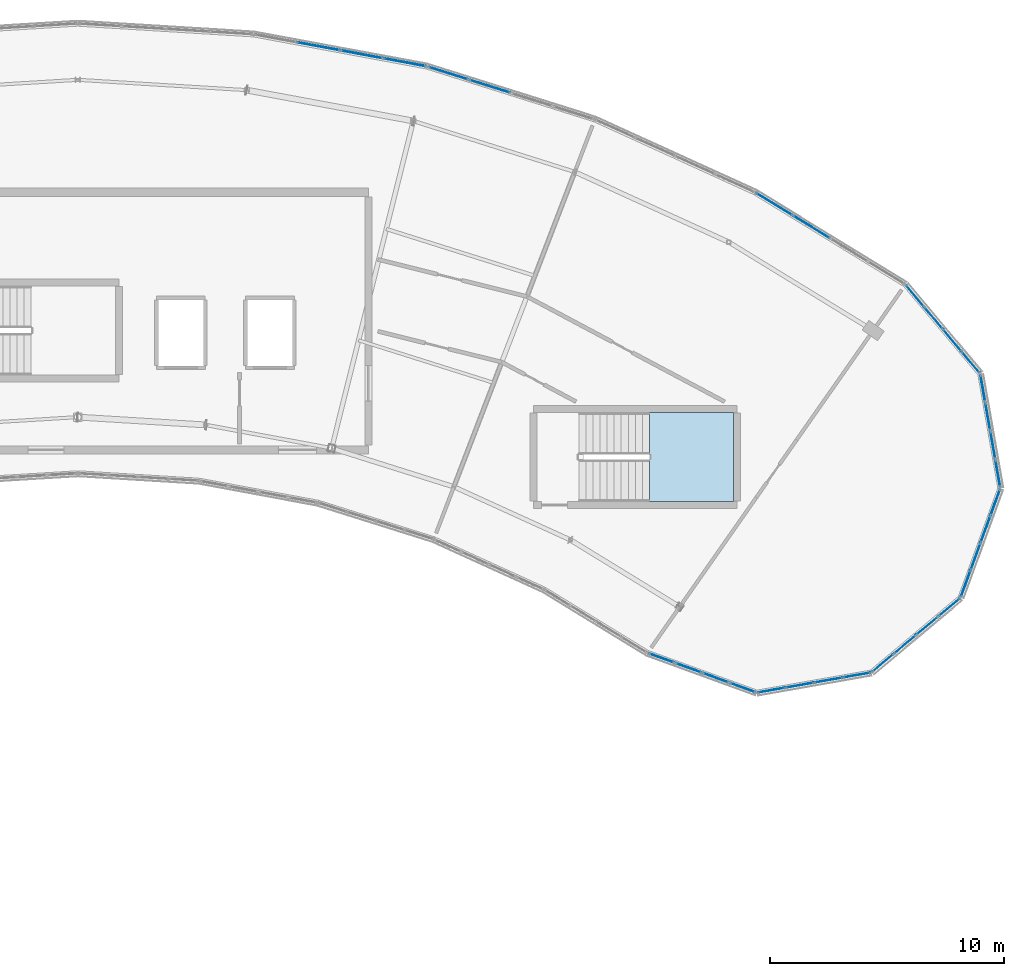
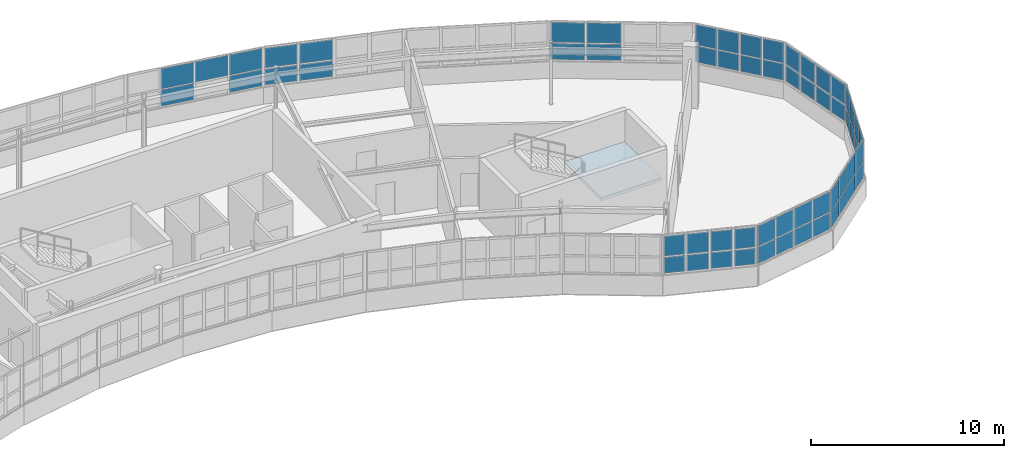
# One storey, part 44 of 60: 61 plates, 1 slab, 10 elements without a shape of their own.
"""IFC4 building model written with IfcOpenShell, lengths in metres."""

from ifc_helpers import new_model, si_unit, direction, frame, origin, origin_2d, place, context, subcontext, project, spatial, polyline, rectangle, outline, extrude, material, layer, layer_set, type_object, element, aggregate, save


model = new_model("IFC4")

# Units and contexts
model_context = context("Model", 3, precision=1e-05, world=origin(), true_north=direction((0.0, 1.0)))
body_context = subcontext(model_context, "Body", "Model", "MODEL_VIEW")
ifc_project = project(units=[si_unit("LENGTHUNIT", "METRE"), si_unit("AREAUNIT", "SQUARE_METRE"), si_unit("VOLUMEUNIT", "CUBIC_METRE"), si_unit("PLANEANGLEUNIT", "RADIAN"), si_unit("MASSUNIT", "GRAM", prefix="KILO")], contexts=[model_context])

# Site, building, storey
site_placement = place(None, origin())
site = spatial("IfcSite", under=ifc_project, at=site_placement, CompositionType="ELEMENT")
building_placement = place(site_placement, origin())
building = spatial("IfcBuilding", under=site, at=building_placement, Name="Tarnwether General Hospital", CompositionType="ELEMENT")
storey_placement = place(building_placement, frame((0.0, 0.0, 26.10009765625)))
storey = spatial("IfcBuildingStorey", under=building, at=storey_placement, Name="L06", CompositionType="ELEMENT", Elevation=26.10009765625)

# Curtain wall, plates
ifc_material_1 = material(Name="Anodised aluminium", Category="aluminium")
ifc_layer_1 = layer(ifc_material_1, 0.159912109375)
ifc_layer_set_1 = layer_set([ifc_layer_1], Name="Anodised aluminium")
curtain_wall_type_1 = type_object("IfcCurtainWallType", Name="CW-04", PredefinedType="NOTDEFINED", material=ifc_layer_set_1)
curtain_wall_1_placement = place(storey_placement, origin())
curtain_wall_1 = element("IfcCurtainWall", 1, at=curtain_wall_1_placement, inside=storey, type_object=curtain_wall_type_1, Name="Curtain Wall CWG-L06-1259_969-0113", PredefinedType="NOTDEFINED")
ifc_material_2 = material(Name="Double glazed low-E glass", Category="glass")
ifc_layer_2 = layer(ifc_material_2, 0.028076171875)
ifc_layer_set_2 = layer_set([ifc_layer_2], Name="Double glazed low-E glass")
plate_type_1 = type_object("IfcPlateType", Name="PT-CWP1", PredefinedType="CURTAIN_PANEL", material=ifc_layer_set_2)
plate_1_placement = place(storey_placement, frame((125.256591796875, 96.784423828125, 1.10986328125), z_axis=(0.0, 0.0, 1.0), x_axis=(-0.984805834268, -0.173659059054, 0.0)))
plate_1 = element("IfcPlate", 2, at=plate_1_placement, type_object=plate_type_1, Name="CW-04 panel 1.1", PredefinedType="CURTAIN_PANEL", context=body_context, shape_type="SweptSolid", body=[
    extrude(rectangle(XDim=1.15234375, YDim=0.028076171875, at=origin_2d()), origin(), (0.0, 0.0, 1.0), 1.03271484375),
])
plate_2_placement = place(storey_placement, frame((125.256591796875, 96.784423828125, 2.20263671875), z_axis=(0.0, 0.0, 1.0), x_axis=(-0.984805834268, -0.173659059054, 0.0)))
plate_2 = element("IfcPlate", 3, at=plate_2_placement, type_object=plate_type_1, Name="CW-04 panel 1.2", PredefinedType="CURTAIN_PANEL", context=body_context, shape_type="SweptSolid", body=[
    extrude(rectangle(XDim=1.15234375, YDim=0.028076171875, at=origin_2d()), origin(), (0.0, 0.0, 1.0), 1.2822265625),
])
plate_3_placement = place(storey_placement, frame((124.0478515625, 96.5712890625, 1.10986328125), z_axis=(0.0, 0.0, 1.0), x_axis=(-0.984805834268, -0.173659059054, 0.0)))
plate_3 = element("IfcPlate", 4, at=plate_3_placement, type_object=plate_type_1, Name="CW-04 panel 2.1", PredefinedType="CURTAIN_PANEL", context=body_context, shape_type="SweptSolid", body=[
    extrude(rectangle(XDim=1.182373046875, YDim=0.028076171875, at=origin_2d()), origin(), (0.0, 0.0, 1.0), 1.03271484375),
])
plate_4_placement = place(storey_placement, frame((124.0478515625, 96.5712890625, 2.20263671875), z_axis=(0.0, 0.0, 1.0), x_axis=(-0.984805834268, -0.173659059054, 0.0)))
plate_4 = element("IfcPlate", 5, at=plate_4_placement, type_object=plate_type_1, Name="CW-04 panel 2.2", PredefinedType="CURTAIN_PANEL", context=body_context, shape_type="SweptSolid", body=[
    extrude(rectangle(XDim=1.182373046875, YDim=0.028076171875, at=origin_2d()), origin(), (0.0, 0.0, 1.0), 1.2822265625),
])
plate_5_placement = place(storey_placement, frame((122.82421875, 96.355712890625, 1.10986328125), z_axis=(0.0, 0.0, 1.0), x_axis=(-0.984805834268, -0.173659059054, 0.0)))
plate_5 = element("IfcPlate", 6, at=plate_5_placement, type_object=plate_type_1, Name="CW-04 panel 3.1", PredefinedType="CURTAIN_PANEL", context=body_context, shape_type="SweptSolid", body=[
    extrude(rectangle(XDim=1.182373046875, YDim=0.028076171875, at=origin_2d()), origin(), (0.0, 0.0, 1.0), 1.03271484375),
])
plate_6_placement = place(storey_placement, frame((122.82421875, 96.355712890625, 2.20263671875), z_axis=(0.0, 0.0, 1.0), x_axis=(-0.984805834268, -0.173659059054, 0.0)))
plate_6 = element("IfcPlate", 7, at=plate_6_placement, type_object=plate_type_1, Name="CW-04 panel 3.2", PredefinedType="CURTAIN_PANEL", context=body_context, shape_type="SweptSolid", body=[
    extrude(rectangle(XDim=1.182373046875, YDim=0.028076171875, at=origin_2d()), origin(), (0.0, 0.0, 1.0), 1.2822265625),
])
plate_7_placement = place(storey_placement, frame((121.615478515625, 96.142578125, 1.10986328125), z_axis=(0.0, 0.0, 1.0), x_axis=(-0.984805834268, -0.173659059054, 0.0)))
plate_7 = element("IfcPlate", 8, at=plate_7_placement, type_object=plate_type_1, Name="CW-04 panel 4.1", PredefinedType="CURTAIN_PANEL", context=body_context, shape_type="SweptSolid", body=[
    extrude(rectangle(XDim=1.15234375, YDim=0.028076171875, at=origin_2d()), origin(), (0.0, 0.0, 1.0), 1.03271484375),
])
plate_8_placement = place(storey_placement, frame((121.615478515625, 96.142578125, 2.20263671875), z_axis=(0.0, 0.0, 1.0), x_axis=(-0.984805834268, -0.173659059054, 0.0)))
plate_8 = element("IfcPlate", 9, at=plate_8_placement, type_object=plate_type_1, Name="CW-04 panel 4.2", PredefinedType="CURTAIN_PANEL", context=body_context, shape_type="SweptSolid", body=[
    extrude(rectangle(XDim=1.15234375, YDim=0.028076171875, at=origin_2d()), origin(), (0.0, 0.0, 1.0), 1.2822265625),
])
aggregate(curtain_wall_1, [plate_1, plate_2, plate_3, plate_4, plate_5, plate_6, plate_7, plate_8])

curtain_wall_2_placement = place(storey_placement, origin())
curtain_wall_2 = element("IfcCurtainWall", 10, at=curtain_wall_2_placement, inside=storey, type_object=curtain_wall_type_1, Name="Curtain Wall CWG-L06-1297_1001-0114", PredefinedType="NOTDEFINED")
plate_9_placement = place(storey_placement, frame((129.20068359375, 99.679443359375, 1.1201171875), z_axis=(0.0, 0.0, 1.0), x_axis=(-0.765990176896, -0.64285227611, 0.0)))
plate_9 = element("IfcPlate", 11, at=plate_9_placement, type_object=plate_type_1, Name="CW-04 panel 1.1", PredefinedType="CURTAIN_PANEL", context=body_context, shape_type="SweptSolid", body=[
    extrude(rectangle(XDim=1.137451171875, YDim=0.028076171875, at=origin_2d()), origin(), (0.0, 0.0, 1.0), 1.017822265625),
])
plate_10_placement = place(storey_placement, frame((129.20068359375, 99.679443359375, 2.207763671875), z_axis=(0.0, 0.0, 1.0), x_axis=(-0.765990176896, -0.64285227611, 0.0)))
plate_10 = element("IfcPlate", 12, at=plate_10_placement, type_object=plate_type_1, Name="CW-04 panel 1.2", PredefinedType="CURTAIN_PANEL", context=body_context, shape_type="SweptSolid", body=[
    extrude(rectangle(XDim=1.137451171875, YDim=0.028076171875, at=origin_2d()), origin(), (0.0, 0.0, 1.0), 1.26708984375),
])
plate_11_placement = place(storey_placement, frame((128.262451171875, 98.891845703125, 1.1201171875), z_axis=(0.0, 0.0, 1.0), x_axis=(-0.765990176896, -0.64285227611, 0.0)))
plate_11 = element("IfcPlate", 13, at=plate_11_placement, type_object=plate_type_1, Name="CW-04 panel 2.1", PredefinedType="CURTAIN_PANEL", context=body_context, shape_type="SweptSolid", body=[
    extrude(rectangle(XDim=1.172607421875, YDim=0.028076171875, at=origin_2d()), origin(), (0.0, 0.0, 1.0), 1.017822265625),
])
plate_12_placement = place(storey_placement, frame((128.262451171875, 98.891845703125, 2.207763671875), z_axis=(0.0, 0.0, 1.0), x_axis=(-0.765990176896, -0.64285227611, 0.0)))
plate_12 = element("IfcPlate", 14, at=plate_12_placement, type_object=plate_type_1, Name="CW-04 panel 2.2", PredefinedType="CURTAIN_PANEL", context=body_context, shape_type="SweptSolid", body=[
    extrude(rectangle(XDim=1.172607421875, YDim=0.028076171875, at=origin_2d()), origin(), (0.0, 0.0, 1.0), 1.26708984375),
])
plate_13_placement = place(storey_placement, frame((127.310546875, 98.093017578125, 1.1201171875), z_axis=(0.0, 0.0, 1.0), x_axis=(-0.765990176896, -0.64285227611, 0.0)))
plate_13 = element("IfcPlate", 15, at=plate_13_placement, type_object=plate_type_1, Name="CW-04 panel 3.1", PredefinedType="CURTAIN_PANEL", context=body_context, shape_type="SweptSolid", body=[
    extrude(rectangle(XDim=1.172607421875, YDim=0.028076171875, at=origin_2d()), origin(), (0.0, 0.0, 1.0), 1.017822265625),
])
plate_14_placement = place(storey_placement, frame((127.310546875, 98.093017578125, 2.207763671875), z_axis=(0.0, 0.0, 1.0), x_axis=(-0.765990176896, -0.64285227611, 0.0)))
plate_14 = element("IfcPlate", 16, at=plate_14_placement, type_object=plate_type_1, Name="CW-04 panel 3.2", PredefinedType="CURTAIN_PANEL", context=body_context, shape_type="SweptSolid", body=[
    extrude(rectangle(XDim=1.172607421875, YDim=0.028076171875, at=origin_2d()), origin(), (0.0, 0.0, 1.0), 1.26708984375),
])
plate_15_placement = place(storey_placement, frame((126.372314453125, 97.3056640625, 1.1201171875), z_axis=(0.0, 0.0, 1.0), x_axis=(-0.765990176896, -0.64285227611, 0.0)))
plate_15 = element("IfcPlate", 17, at=plate_15_placement, type_object=plate_type_1, Name="CW-04 panel 4.1", PredefinedType="CURTAIN_PANEL", context=body_context, shape_type="SweptSolid", body=[
    extrude(rectangle(XDim=1.137451171875, YDim=0.028076171875, at=origin_2d()), origin(), (0.0, 0.0, 1.0), 1.017822265625),
])
plate_16_placement = place(storey_placement, frame((126.372314453125, 97.3056640625, 2.207763671875), z_axis=(0.0, 0.0, 1.0), x_axis=(-0.765990176896, -0.64285227611, 0.0)))
plate_16 = element("IfcPlate", 18, at=plate_16_placement, type_object=plate_type_1, Name="CW-04 panel 4.2", PredefinedType="CURTAIN_PANEL", context=body_context, shape_type="SweptSolid", body=[
    extrude(rectangle(XDim=1.137451171875, YDim=0.028076171875, at=origin_2d()), origin(), (0.0, 0.0, 1.0), 1.26708984375),
])
aggregate(curtain_wall_2, [plate_9, plate_10, plate_11, plate_12, plate_13, plate_14, plate_15, plate_16])

curtain_wall_3_placement = place(storey_placement, origin())
curtain_wall_3 = element("IfcCurtainWall", 19, at=curtain_wall_3_placement, inside=storey, type_object=curtain_wall_type_1, Name="Curtain Wall CWG-L06-1305_1097-0116", PredefinedType="NOTDEFINED")
plate_17_placement = place(storey_placement, frame((130.63818359375, 109.021484375, 1.1298828125), z_axis=(0.0, 0.0, 1.0), x_axis=(0.173463890135, -0.984840230098, 0.0)))
plate_17 = element("IfcPlate", 20, at=plate_17_placement, type_object=plate_type_1, Name="CW-04 panel 1.1", PredefinedType="CURTAIN_PANEL", context=body_context, shape_type="SweptSolid", body=[
    extrude(rectangle(XDim=1.122314453125, YDim=0.028076171875, at=origin_2d()), origin(), (0.0, 0.0, 1.0), 1.002685546875),
])
plate_18_placement = place(storey_placement, frame((130.63818359375, 109.021484375, 2.212890625), z_axis=(0.0, 0.0, 1.0), x_axis=(0.173463890135, -0.984840230098, 0.0)))
plate_18 = element("IfcPlate", 21, at=plate_18_placement, type_object=plate_type_1, Name="CW-04 panel 1.2", PredefinedType="CURTAIN_PANEL", context=body_context, shape_type="SweptSolid", body=[
    extrude(rectangle(XDim=1.122314453125, YDim=0.028076171875, at=origin_2d()), origin(), (0.0, 0.0, 1.0), 1.252197265625),
])
plate_19_placement = place(storey_placement, frame((130.850341796875, 107.81787109375, 1.1298828125), z_axis=(0.0, 0.0, 1.0), x_axis=(0.173463890135, -0.984840230098, 0.0)))
plate_19 = element("IfcPlate", 22, at=plate_19_placement, type_object=plate_type_1, Name="CW-04 panel 2.1", PredefinedType="CURTAIN_PANEL", context=body_context, shape_type="SweptSolid", body=[
    extrude(rectangle(XDim=1.162353515625, YDim=0.028076171875, at=origin_2d()), origin(), (0.0, 0.0, 1.0), 1.002685546875),
])
plate_20_placement = place(storey_placement, frame((130.850341796875, 107.81787109375, 2.212890625), z_axis=(0.0, 0.0, 1.0), x_axis=(0.173463890135, -0.984840230098, 0.0)))
plate_20 = element("IfcPlate", 23, at=plate_20_placement, type_object=plate_type_1, Name="CW-04 panel 2.2", PredefinedType="CURTAIN_PANEL", context=body_context, shape_type="SweptSolid", body=[
    extrude(rectangle(XDim=1.162353515625, YDim=0.028076171875, at=origin_2d()), origin(), (0.0, 0.0, 1.0), 1.252197265625),
])
plate_21_placement = place(storey_placement, frame((131.065673828125, 106.59423828125, 1.1298828125), z_axis=(0.0, 0.0, 1.0), x_axis=(0.173463890135, -0.984840230098, 0.0)))
plate_21 = element("IfcPlate", 24, at=plate_21_placement, type_object=plate_type_1, Name="CW-04 panel 3.1", PredefinedType="CURTAIN_PANEL", context=body_context, shape_type="SweptSolid", body=[
    extrude(rectangle(XDim=1.162353515625, YDim=0.028076171875, at=origin_2d()), origin(), (0.0, 0.0, 1.0), 1.002685546875),
])
plate_22_placement = place(storey_placement, frame((131.065673828125, 106.59423828125, 2.212890625), z_axis=(0.0, 0.0, 1.0), x_axis=(0.173463890135, -0.984840230098, 0.0)))
plate_22 = element("IfcPlate", 25, at=plate_22_placement, type_object=plate_type_1, Name="CW-04 panel 3.2", PredefinedType="CURTAIN_PANEL", context=body_context, shape_type="SweptSolid", body=[
    extrude(rectangle(XDim=1.162353515625, YDim=0.028076171875, at=origin_2d()), origin(), (0.0, 0.0, 1.0), 1.252197265625),
])
plate_23_placement = place(storey_placement, frame((131.27783203125, 105.390380859375, 1.1298828125), z_axis=(0.0, 0.0, 1.0), x_axis=(0.173463890135, -0.984840230098, 0.0)))
plate_23 = element("IfcPlate", 26, at=plate_23_placement, type_object=plate_type_1, Name="CW-04 panel 4.1", PredefinedType="CURTAIN_PANEL", context=body_context, shape_type="SweptSolid", body=[
    extrude(rectangle(XDim=1.122314453125, YDim=0.028076171875, at=origin_2d()), origin(), (0.0, 0.0, 1.0), 1.002685546875),
])
plate_24_placement = place(storey_placement, frame((131.27783203125, 105.390380859375, 2.212890625), z_axis=(0.0, 0.0, 1.0), x_axis=(0.173463890135, -0.984840230098, 0.0)))
plate_24 = element("IfcPlate", 27, at=plate_24_placement, type_object=plate_type_1, Name="CW-04 panel 4.2", PredefinedType="CURTAIN_PANEL", context=body_context, shape_type="SweptSolid", body=[
    extrude(rectangle(XDim=1.122314453125, YDim=0.028076171875, at=origin_2d()), origin(), (0.0, 0.0, 1.0), 1.252197265625),
])
aggregate(curtain_wall_3, [plate_17, plate_18, plate_19, plate_20, plate_21, plate_22, plate_23, plate_24])

curtain_wall_4_placement = place(storey_placement, origin())
curtain_wall_4 = element("IfcCurtainWall", 28, at=curtain_wall_4_placement, inside=storey, type_object=curtain_wall_type_1, Name="Curtain Wall CWG-L06-1273_1135-0117", PredefinedType="NOTDEFINED")
plate_25_placement = place(storey_placement, frame((127.740966796875, 112.97265625, 1.10986328125), z_axis=(0.0, 0.0, 1.0), x_axis=(0.64285227611, -0.765990176896, 0.0)))
plate_25 = element("IfcPlate", 29, at=plate_25_placement, type_object=plate_type_1, Name="CW-04 panel 1.1", PredefinedType="CURTAIN_PANEL", context=body_context, shape_type="SweptSolid", body=[
    extrude(rectangle(XDim=1.152587890625, YDim=0.028076171875, at=origin_2d()), origin(), (0.0, 0.0, 1.0), 1.03271484375),
])
plate_26_placement = place(storey_placement, frame((127.740966796875, 112.97265625, 2.20263671875), z_axis=(0.0, 0.0, 1.0), x_axis=(0.64285227611, -0.765990176896, 0.0)))
plate_26 = element("IfcPlate", 30, at=plate_26_placement, type_object=plate_type_1, Name="CW-04 panel 1.2", PredefinedType="CURTAIN_PANEL", context=body_context, shape_type="SweptSolid", body=[
    extrude(rectangle(XDim=1.152587890625, YDim=0.028076171875, at=origin_2d()), origin(), (0.0, 0.0, 1.0), 1.2822265625),
])
plate_27_placement = place(storey_placement, frame((128.530029296875, 112.032470703125, 1.10986328125), z_axis=(0.0, 0.0, 1.0), x_axis=(0.64285227611, -0.765990176896, 0.0)))
plate_27 = element("IfcPlate", 31, at=plate_27_placement, type_object=plate_type_1, Name="CW-04 panel 2.1", PredefinedType="CURTAIN_PANEL", context=body_context, shape_type="SweptSolid", body=[
    extrude(rectangle(XDim=1.1826171875, YDim=0.028076171875, at=origin_2d()), origin(), (0.0, 0.0, 1.0), 1.03271484375),
])
plate_28_placement = place(storey_placement, frame((128.530029296875, 112.032470703125, 2.20263671875), z_axis=(0.0, 0.0, 1.0), x_axis=(0.64285227611, -0.765990176896, 0.0)))
plate_28 = element("IfcPlate", 32, at=plate_28_placement, type_object=plate_type_1, Name="CW-04 panel 2.2", PredefinedType="CURTAIN_PANEL", context=body_context, shape_type="SweptSolid", body=[
    extrude(rectangle(XDim=1.1826171875, YDim=0.028076171875, at=origin_2d()), origin(), (0.0, 0.0, 1.0), 1.2822265625),
])
plate_29_placement = place(storey_placement, frame((129.328857421875, 111.08056640625, 1.10986328125), z_axis=(0.0, 0.0, 1.0), x_axis=(0.64285227611, -0.765990176896, 0.0)))
plate_29 = element("IfcPlate", 33, at=plate_29_placement, type_object=plate_type_1, Name="CW-04 panel 3.1", PredefinedType="CURTAIN_PANEL", context=body_context, shape_type="SweptSolid", body=[
    extrude(rectangle(XDim=1.1826171875, YDim=0.028076171875, at=origin_2d()), origin(), (0.0, 0.0, 1.0), 1.03271484375),
])
plate_30_placement = place(storey_placement, frame((129.328857421875, 111.08056640625, 2.20263671875), z_axis=(0.0, 0.0, 1.0), x_axis=(0.64285227611, -0.765990176896, 0.0)))
plate_30 = element("IfcPlate", 34, at=plate_30_placement, type_object=plate_type_1, Name="CW-04 panel 3.2", PredefinedType="CURTAIN_PANEL", context=body_context, shape_type="SweptSolid", body=[
    extrude(rectangle(XDim=1.1826171875, YDim=0.028076171875, at=origin_2d()), origin(), (0.0, 0.0, 1.0), 1.2822265625),
])
plate_31_placement = place(storey_placement, frame((130.117919921875, 110.140380859375, 1.10986328125), z_axis=(0.0, 0.0, 1.0), x_axis=(0.64285227611, -0.765990176896, 0.0)))
plate_31 = element("IfcPlate", 35, at=plate_31_placement, type_object=plate_type_1, Name="CW-04 panel 4.1", PredefinedType="CURTAIN_PANEL", context=body_context, shape_type="SweptSolid", body=[
    extrude(rectangle(XDim=1.152587890625, YDim=0.028076171875, at=origin_2d()), origin(), (0.0, 0.0, 1.0), 1.03271484375),
])
plate_32_placement = place(storey_placement, frame((130.117919921875, 110.140380859375, 2.20263671875), z_axis=(0.0, 0.0, 1.0), x_axis=(0.64285227611, -0.765990176896, 0.0)))
plate_32 = element("IfcPlate", 36, at=plate_32_placement, type_object=plate_type_1, Name="CW-04 panel 4.2", PredefinedType="CURTAIN_PANEL", context=body_context, shape_type="SweptSolid", body=[
    extrude(rectangle(XDim=1.152587890625, YDim=0.028076171875, at=origin_2d()), origin(), (0.0, 0.0, 1.0), 1.2822265625),
])
aggregate(curtain_wall_4, [plate_25, plate_26, plate_27, plate_28, plate_29, plate_30, plate_31, plate_32])

ifc_material_3 = material(Name="Anodised aluminium", Category="aluminium")
ifc_layer_3 = layer(ifc_material_3, 0.179931640625)
ifc_layer_set_3 = layer_set([ifc_layer_3], Name="Anodised aluminium")
curtain_wall_type_2 = type_object("IfcCurtainWallType", Name="CW-06", PredefinedType="NOTDEFINED", material=ifc_layer_set_3)
curtain_wall_5_placement = place(storey_placement, origin())
curtain_wall_5 = element("IfcCurtainWall", 37, at=curtain_wall_5_placement, inside=storey, type_object=curtain_wall_type_2, Name="Curtain Wall CWG-L06-1069_1228-0120", PredefinedType="NOTDEFINED")
plate_33_placement = place(storey_placement, frame((107.817626953125, 122.4814453125, 1.1298828125), z_axis=(0.0, 0.0, 1.0), x_axis=(0.953741284032, -0.300628613299, 0.0)))
plate_33 = element("IfcPlate", 38, at=plate_33_placement, type_object=plate_type_1, Name="CW-06 panel 1.1", PredefinedType="CURTAIN_PANEL", context=body_context, shape_type="SweptSolid", body=[
    extrude(rectangle(XDim=1.76025390625, YDim=0.028076171875, at=origin_2d()), origin(), (0.0, 0.0, 1.0), 1.002685546875),
])
plate_34_placement = place(storey_placement, frame((107.817626953125, 122.4814453125, 2.212890625), z_axis=(0.0, 0.0, 1.0), x_axis=(0.953741284032, -0.300628613299, 0.0)))
plate_34 = element("IfcPlate", 39, at=plate_34_placement, type_object=plate_type_1, Name="CW-06 panel 1.2", PredefinedType="CURTAIN_PANEL", context=body_context, shape_type="SweptSolid", body=[
    extrude(rectangle(XDim=1.76025390625, YDim=0.028076171875, at=origin_2d()), origin(), (0.0, 0.0, 1.0), 1.252197265625),
])
plate_35_placement = place(storey_placement, frame((109.591796875, 121.922119140625, 1.1298828125), z_axis=(0.0, 0.0, 1.0), x_axis=(0.953741284032, -0.300628613299, 0.0)))
plate_35 = element("IfcPlate", 40, at=plate_35_placement, type_object=plate_type_1, Name="CW-06 panel 2.1", PredefinedType="CURTAIN_PANEL", context=body_context, shape_type="SweptSolid", body=[
    extrude(rectangle(XDim=1.80029296875, YDim=0.028076171875, at=origin_2d()), origin(), (0.0, 0.0, 1.0), 1.002685546875),
])
plate_36_placement = place(storey_placement, frame((109.591796875, 121.922119140625, 2.212890625), z_axis=(0.0, 0.0, 1.0), x_axis=(0.953741284032, -0.300628613299, 0.0)))
plate_36 = element("IfcPlate", 41, at=plate_36_placement, type_object=plate_type_1, Name="CW-06 panel 2.2", PredefinedType="CURTAIN_PANEL", context=body_context, shape_type="SweptSolid", body=[
    extrude(rectangle(XDim=1.80029296875, YDim=0.028076171875, at=origin_2d()), origin(), (0.0, 0.0, 1.0), 1.252197265625),
])
aggregate(curtain_wall_5, [plate_33, plate_34, plate_35, plate_36])

curtain_wall_6_placement = place(storey_placement, origin())
curtain_wall_6 = element("IfcCurtainWall", 42, at=curtain_wall_6_placement, inside=storey, type_object=curtain_wall_type_1, Name="Curtain Wall CWG-L06-1210_960-0112", PredefinedType="NOTDEFINED")
ifc_material_4 = material(Name="Double glazed low-E glass", Category="glass")
ifc_layer_4 = layer(ifc_material_4, 0.035888671875)
ifc_layer_set_4 = layer_set([ifc_layer_4], Name="Double glazed low-E glass")
plate_type_2 = type_object("IfcPlateType", Name="PT-CWP2", PredefinedType="CURTAIN_PANEL", material=ifc_layer_set_4)
plate_37_placement = place(storey_placement, frame((120.386474609375, 96.251220703125, 1.1298828125), z_axis=(0.0, 0.0, 1.0), x_axis=(-0.939652319163, 0.342130850834, 0.0)))
plate_37 = element("IfcPlate", 43, at=plate_37_placement, type_object=plate_type_2, Name="CW-04 panel 1.1", PredefinedType="CURTAIN_PANEL", context=body_context, shape_type="SweptSolid", body=[
    extrude(rectangle(XDim=1.122314453125, YDim=0.035888671875, at=origin_2d()), origin(), (0.0, 0.0, 1.0), 1.002685546875),
])
plate_38_placement = place(storey_placement, frame((120.386474609375, 96.251220703125, 2.212890625), z_axis=(0.0, 0.0, 1.0), x_axis=(-0.939652319163, 0.342130850834, 0.0)))
plate_38 = element("IfcPlate", 44, at=plate_38_placement, type_object=plate_type_2, Name="CW-04 panel 1.2", PredefinedType="CURTAIN_PANEL", context=body_context, shape_type="SweptSolid", body=[
    extrude(rectangle(XDim=1.122314453125, YDim=0.035888671875, at=origin_2d()), origin(), (0.0, 0.0, 1.0), 1.252197265625),
])
plate_39_placement = place(storey_placement, frame((119.238037109375, 96.66943359375, 1.1298828125), z_axis=(0.0, 0.0, 1.0), x_axis=(-0.939652319163, 0.342130850834, 0.0)))
plate_39 = element("IfcPlate", 45, at=plate_39_placement, type_object=plate_type_2, Name="CW-04 panel 2.1", PredefinedType="CURTAIN_PANEL", context=body_context, shape_type="SweptSolid", body=[
    extrude(rectangle(XDim=1.162109375, YDim=0.035888671875, at=origin_2d()), origin(), (0.0, 0.0, 1.0), 1.002685546875),
])
plate_40_placement = place(storey_placement, frame((119.238037109375, 96.66943359375, 2.212890625), z_axis=(0.0, 0.0, 1.0), x_axis=(-0.939652319163, 0.342130850834, 0.0)))
plate_40 = element("IfcPlate", 46, at=plate_40_placement, type_object=plate_type_2, Name="CW-04 panel 2.2", PredefinedType="CURTAIN_PANEL", context=body_context, shape_type="SweptSolid", body=[
    extrude(rectangle(XDim=1.162109375, YDim=0.035888671875, at=origin_2d()), origin(), (0.0, 0.0, 1.0), 1.252197265625),
])
plate_41_placement = place(storey_placement, frame((118.07080078125, 97.094482421875, 1.1298828125), z_axis=(0.0, 0.0, 1.0), x_axis=(-0.939652319163, 0.342130850834, 0.0)))
plate_41 = element("IfcPlate", 47, at=plate_41_placement, type_object=plate_type_2, Name="CW-04 panel 3.1", PredefinedType="CURTAIN_PANEL", context=body_context, shape_type="SweptSolid", body=[
    extrude(rectangle(XDim=1.162109375, YDim=0.035888671875, at=origin_2d()), origin(), (0.0, 0.0, 1.0), 1.002685546875),
])
plate_42_placement = place(storey_placement, frame((118.07080078125, 97.094482421875, 2.212890625), z_axis=(0.0, 0.0, 1.0), x_axis=(-0.939652319163, 0.342130850834, 0.0)))
plate_42 = element("IfcPlate", 48, at=plate_42_placement, type_object=plate_type_2, Name="CW-04 panel 3.2", PredefinedType="CURTAIN_PANEL", context=body_context, shape_type="SweptSolid", body=[
    extrude(rectangle(XDim=1.162109375, YDim=0.035888671875, at=origin_2d()), origin(), (0.0, 0.0, 1.0), 1.252197265625),
])
plate_43_placement = place(storey_placement, frame((116.92236328125, 97.5126953125, 1.1298828125), z_axis=(0.0, 0.0, 1.0), x_axis=(-0.939652319163, 0.342130850834, 0.0)))
plate_43 = element("IfcPlate", 49, at=plate_43_placement, type_object=plate_type_2, Name="CW-04 panel 4.1", PredefinedType="CURTAIN_PANEL", context=body_context, shape_type="SweptSolid", body=[
    extrude(rectangle(XDim=1.122314453125, YDim=0.035888671875, at=origin_2d()), origin(), (0.0, 0.0, 1.0), 1.002685546875),
])
plate_44_placement = place(storey_placement, frame((116.92236328125, 97.5126953125, 2.212890625), z_axis=(0.0, 0.0, 1.0), x_axis=(-0.939652319163, 0.342130850834, 0.0)))
plate_44 = element("IfcPlate", 50, at=plate_44_placement, type_object=plate_type_2, Name="CW-04 panel 4.2", PredefinedType="CURTAIN_PANEL", context=body_context, shape_type="SweptSolid", body=[
    extrude(rectangle(XDim=1.122314453125, YDim=0.035888671875, at=origin_2d()), origin(), (0.0, 0.0, 1.0), 1.252197265625),
])
aggregate(curtain_wall_6, [plate_37, plate_38, plate_39, plate_40, plate_41, plate_42, plate_43, plate_44])

curtain_wall_7_placement = place(storey_placement, origin())
curtain_wall_7 = element("IfcCurtainWall", 51, at=curtain_wall_7_placement, inside=storey, type_object=curtain_wall_type_1, Name="Curtain Wall CWG-L06-1314_1048-0115", PredefinedType="NOTDEFINED")
plate_45_placement = place(storey_placement, frame((131.171142578125, 104.16015625, 1.11474609375), z_axis=(0.0, 0.0, 1.0), x_axis=(-0.341953136469, -0.939717006582, 0.0)))
plate_45 = element("IfcPlate", 52, at=plate_45_placement, type_object=plate_type_2, Name="CW-04 panel 1.1", PredefinedType="CURTAIN_PANEL", context=body_context, shape_type="SweptSolid", body=[
    extrude(rectangle(XDim=1.14453125, YDim=0.035888671875, at=origin_2d()), origin(), (0.0, 0.0, 1.0), 1.025390625),
])
plate_46_placement = place(storey_placement, frame((131.171142578125, 104.16015625, 2.205078125), z_axis=(0.0, 0.0, 1.0), x_axis=(-0.341953136469, -0.939717006582, 0.0)))
plate_46 = element("IfcPlate", 53, at=plate_46_placement, type_object=plate_type_2, Name="CW-04 panel 1.2", PredefinedType="CURTAIN_PANEL", context=body_context, shape_type="SweptSolid", body=[
    extrude(rectangle(XDim=1.14453125, YDim=0.035888671875, at=origin_2d()), origin(), (0.0, 0.0, 1.0), 1.274658203125),
])
plate_47_placement = place(storey_placement, frame((130.751953125, 103.008056640625, 1.11474609375), z_axis=(0.0, 0.0, 1.0), x_axis=(-0.341953136469, -0.939717006582, 0.0)))
plate_47 = element("IfcPlate", 54, at=plate_47_placement, type_object=plate_type_2, Name="CW-04 panel 2.1", PredefinedType="CURTAIN_PANEL", context=body_context, shape_type="SweptSolid", body=[
    extrude(rectangle(XDim=1.17724609375, YDim=0.035888671875, at=origin_2d()), origin(), (0.0, 0.0, 1.0), 1.025390625),
])
plate_48_placement = place(storey_placement, frame((130.751953125, 103.008056640625, 2.205078125), z_axis=(0.0, 0.0, 1.0), x_axis=(-0.341953136469, -0.939717006582, 0.0)))
plate_48 = element("IfcPlate", 55, at=plate_48_placement, type_object=plate_type_2, Name="CW-04 panel 2.2", PredefinedType="CURTAIN_PANEL", context=body_context, shape_type="SweptSolid", body=[
    extrude(rectangle(XDim=1.17724609375, YDim=0.035888671875, at=origin_2d()), origin(), (0.0, 0.0, 1.0), 1.274658203125),
])
plate_49_placement = place(storey_placement, frame((130.3271484375, 101.8408203125, 1.11474609375), z_axis=(0.0, 0.0, 1.0), x_axis=(-0.341953136469, -0.939717006582, 0.0)))
plate_49 = element("IfcPlate", 56, at=plate_49_placement, type_object=plate_type_2, Name="CW-04 panel 3.1", PredefinedType="CURTAIN_PANEL", context=body_context, shape_type="SweptSolid", body=[
    extrude(rectangle(XDim=1.17724609375, YDim=0.035888671875, at=origin_2d()), origin(), (0.0, 0.0, 1.0), 1.025390625),
])
plate_50_placement = place(storey_placement, frame((130.3271484375, 101.8408203125, 2.205078125), z_axis=(0.0, 0.0, 1.0), x_axis=(-0.341953136469, -0.939717006582, 0.0)))
plate_50 = element("IfcPlate", 57, at=plate_50_placement, type_object=plate_type_2, Name="CW-04 panel 3.2", PredefinedType="CURTAIN_PANEL", context=body_context, shape_type="SweptSolid", body=[
    extrude(rectangle(XDim=1.17724609375, YDim=0.035888671875, at=origin_2d()), origin(), (0.0, 0.0, 1.0), 1.274658203125),
])
plate_51_placement = place(storey_placement, frame((129.907958984375, 100.68896484375, 1.11474609375), z_axis=(0.0, 0.0, 1.0), x_axis=(-0.341953136469, -0.939717006582, 0.0)))
plate_51 = element("IfcPlate", 58, at=plate_51_placement, type_object=plate_type_2, Name="CW-04 panel 4.1", PredefinedType="CURTAIN_PANEL", context=body_context, shape_type="SweptSolid", body=[
    extrude(rectangle(XDim=1.14453125, YDim=0.035888671875, at=origin_2d()), origin(), (0.0, 0.0, 1.0), 1.025390625),
])
plate_52_placement = place(storey_placement, frame((129.907958984375, 100.68896484375, 2.205078125), z_axis=(0.0, 0.0, 1.0), x_axis=(-0.341953136469, -0.939717006582, 0.0)))
plate_52 = element("IfcPlate", 59, at=plate_52_placement, type_object=plate_type_2, Name="CW-04 panel 4.2", PredefinedType="CURTAIN_PANEL", context=body_context, shape_type="SweptSolid", body=[
    extrude(rectangle(XDim=1.14453125, YDim=0.035888671875, at=origin_2d()), origin(), (0.0, 0.0, 1.0), 1.274658203125),
])
aggregate(curtain_wall_7, [plate_45, plate_46, plate_47, plate_48, plate_49, plate_50, plate_51, plate_52])

curtain_wall_8_placement = place(storey_placement, origin())
curtain_wall_8 = element("IfcCurtainWall", 60, at=curtain_wall_8_placement, inside=storey, type_object=curtain_wall_type_2, Name="Curtain Wall CWG-L06-1209_1174-0118", PredefinedType="NOTDEFINED")
plate_53_placement = place(storey_placement, frame((121.735595703125, 116.8896484375, 1.1201171875), z_axis=(0.0, 0.0, 1.0), x_axis=(0.852633734977, -0.522509056361, 0.0)))
plate_53 = element("IfcPlate", 61, at=plate_53_placement, type_object=plate_type_2, Name="CW-06 panel 1.1", PredefinedType="CURTAIN_PANEL", context=body_context, shape_type="SweptSolid", body=[
    extrude(rectangle(XDim=1.775390625, YDim=0.035888671875, at=origin_2d()), origin(), (0.0, 0.0, 1.0), 1.017822265625),
])
plate_54_placement = place(storey_placement, frame((121.735595703125, 116.8896484375, 2.207763671875), z_axis=(0.0, 0.0, 1.0), x_axis=(0.852633734977, -0.522509056361, 0.0)))
plate_54 = element("IfcPlate", 62, at=plate_54_placement, type_object=plate_type_2, Name="CW-06 panel 1.2", PredefinedType="CURTAIN_PANEL", context=body_context, shape_type="SweptSolid", body=[
    extrude(rectangle(XDim=1.775390625, YDim=0.035888671875, at=origin_2d()), origin(), (0.0, 0.0, 1.0), 1.26708984375),
])
plate_55_placement = place(storey_placement, frame((123.323974609375, 115.916259765625, 1.1201171875), z_axis=(0.0, 0.0, 1.0), x_axis=(0.852633734977, -0.522509056361, 0.0)))
plate_55 = element("IfcPlate", 63, at=plate_55_placement, type_object=plate_type_2, Name="CW-06 panel 2.1", PredefinedType="CURTAIN_PANEL", context=body_context, shape_type="SweptSolid", body=[
    extrude(rectangle(XDim=1.810302734375, YDim=0.035888671875, at=origin_2d()), origin(), (0.0, 0.0, 1.0), 1.017822265625),
])
plate_56_placement = place(storey_placement, frame((123.323974609375, 115.916259765625, 2.207763671875), z_axis=(0.0, 0.0, 1.0), x_axis=(0.852633734977, -0.522509056361, 0.0)))
plate_56 = element("IfcPlate", 64, at=plate_56_placement, type_object=plate_type_2, Name="CW-06 panel 2.2", PredefinedType="CURTAIN_PANEL", context=body_context, shape_type="SweptSolid", body=[
    extrude(rectangle(XDim=1.810302734375, YDim=0.035888671875, at=origin_2d()), origin(), (0.0, 0.0, 1.0), 1.26708984375),
])
aggregate(curtain_wall_8, [plate_53, plate_54, plate_55, plate_56])

curtain_wall_9_placement = place(storey_placement, origin())
curtain_wall_9 = element("IfcCurtainWall", 65, at=curtain_wall_9_placement, inside=storey, type_object=curtain_wall_type_2, Name="Curtain Wall CWG-L06-995_1241-0121", PredefinedType="NOTDEFINED")
plate_57_placement = place(storey_placement, frame((102.280029296875, 123.626953125, 1.10986328125), z_axis=(0.0, 0.0, 1.0), x_axis=(0.983244953132, -0.182289226614, 0.0)))
plate_57 = element("IfcPlate", 66, at=plate_57_placement, type_object=plate_type_2, Name="CW-06 panel 2.1", PredefinedType="CURTAIN_PANEL", context=body_context, shape_type="SweptSolid", body=[
    extrude(rectangle(XDim=1.8203125, YDim=0.035888671875, at=origin_2d()), origin(), (0.0, 0.0, 1.0), 1.03271484375),
])
plate_58_placement = place(storey_placement, frame((102.280029296875, 123.626953125, 2.20263671875), z_axis=(0.0, 0.0, 1.0), x_axis=(0.983244953132, -0.182289226614, 0.0)))
plate_58 = element("IfcPlate", 67, at=plate_58_placement, type_object=plate_type_2, Name="CW-06 panel 2.2", PredefinedType="CURTAIN_PANEL", context=body_context, shape_type="SweptSolid", body=[
    extrude(rectangle(XDim=1.8203125, YDim=0.035888671875, at=origin_2d()), origin(), (0.0, 0.0, 1.0), 1.2822265625),
])
plate_59_placement = place(storey_placement, frame((104.12890625, 123.2841796875, 2.20263671875), z_axis=(0.0, 0.0, 1.0), x_axis=(0.983244953132, -0.182289226614, 0.0)))
plate_59 = element("IfcPlate", 68, at=plate_59_placement, type_object=plate_type_2, Name="CW-06 panel 3.2", PredefinedType="CURTAIN_PANEL", context=body_context, shape_type="SweptSolid", body=[
    extrude(rectangle(XDim=1.8203125, YDim=0.035888671875, at=origin_2d()), origin(), (0.0, 0.0, 1.0), 1.2822265625),
])
plate_60_placement = place(storey_placement, frame((105.962890625, 122.944091796875, 1.10986328125), z_axis=(0.0, 0.0, 1.0), x_axis=(0.983244953132, -0.182289226614, 0.0)))
plate_60 = element("IfcPlate", 69, at=plate_60_placement, type_object=plate_type_2, Name="CW-06 panel 4.1", PredefinedType="CURTAIN_PANEL", context=body_context, shape_type="SweptSolid", body=[
    extrude(rectangle(XDim=1.790283203125, YDim=0.035888671875, at=origin_2d()), origin(), (0.0, 0.0, 1.0), 1.03271484375),
])
plate_61_placement = place(storey_placement, frame((105.962890625, 122.944091796875, 2.20263671875), z_axis=(0.0, 0.0, 1.0), x_axis=(0.983244953132, -0.182289226614, 0.0)))
plate_61 = element("IfcPlate", 70, at=plate_61_placement, type_object=plate_type_2, Name="CW-06 panel 4.2", PredefinedType="CURTAIN_PANEL", context=body_context, shape_type="SweptSolid", body=[
    extrude(rectangle(XDim=1.790283203125, YDim=0.035888671875, at=origin_2d()), origin(), (0.0, 0.0, 1.0), 1.2822265625),
])
aggregate(curtain_wall_9, [plate_57, plate_58, plate_59, plate_60, plate_61])

# Stair, slab
ifc_material_5 = material(Name="Concrete 40 MPa", Category="concrete")
stair_type = type_object("IfcStairType", Name="ST-DL39B", PredefinedType="HALF_TURN_STAIR", material=ifc_material_5)
stair_placement = place(storey_placement, origin())
stair = element("IfcStair", 71, at=stair_placement, inside=storey, type_object=stair_type, Name="L06 Exit Stair ST-08", PredefinedType="HALF_TURN_STAIR")
ifc_material_6 = material(Name="Concrete 40 MPa", Category="concrete")
ifc_layer_5 = layer(ifc_material_6, 0.199951171875)
ifc_layer_set_5 = layer_set([ifc_layer_5], Name="Concrete 40 MPa")
slab_type = type_object("IfcSlabType", Name="SL-LD200", PredefinedType="LANDING", material=ifc_layer_set_5)
slab_placement = place(storey_placement, frame((0.0, 0.0, 1.75)))
slab = element("IfcSlab", 72, at=slab_placement, type_object=slab_type, Name="ST-08 landing 1", PredefinedType="LANDING", context=body_context, shape_type="SweptSolid", body=[
    extrude(outline(polyline([(116.39990234375, 104.199951171875), (120.0, 104.199951171875), (120.0, 108.0), (116.39990234375, 108.0), (116.39990234375, 104.199951171875)])), origin(), (0.0, 0.0, 1.0), 0.199951171875),
])
aggregate(stair, [slab])

save(model, "model.ifc")
